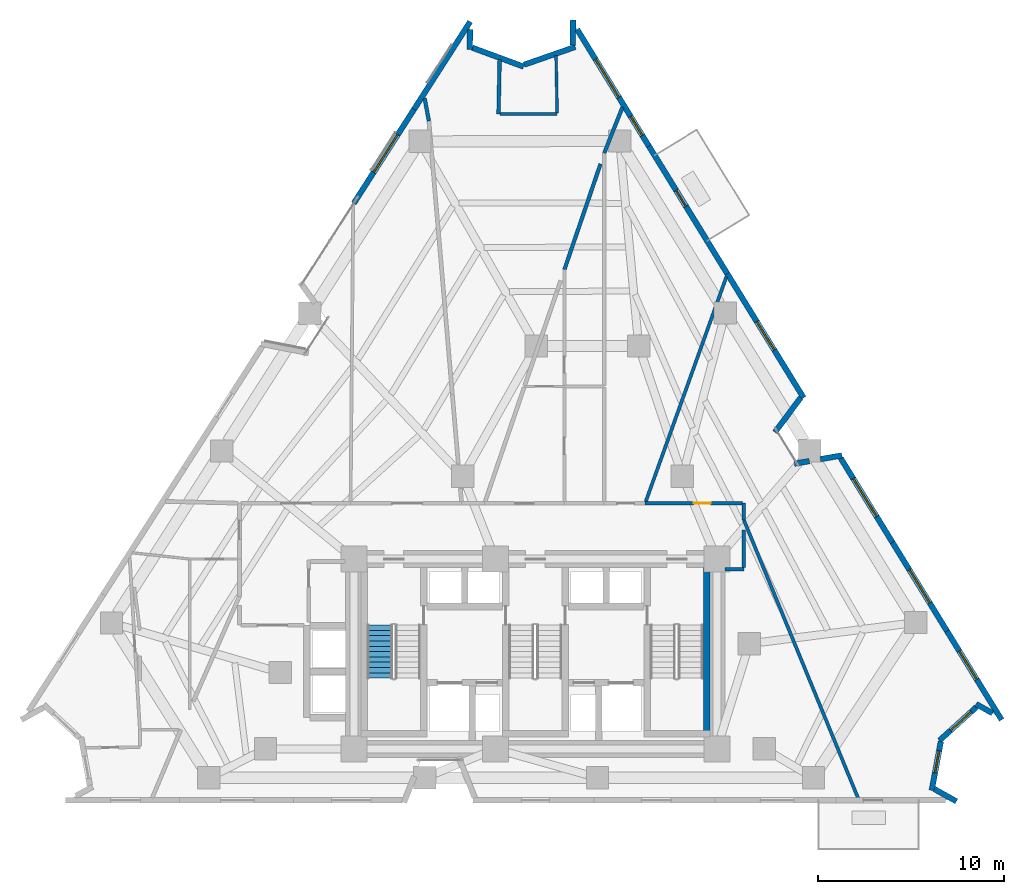
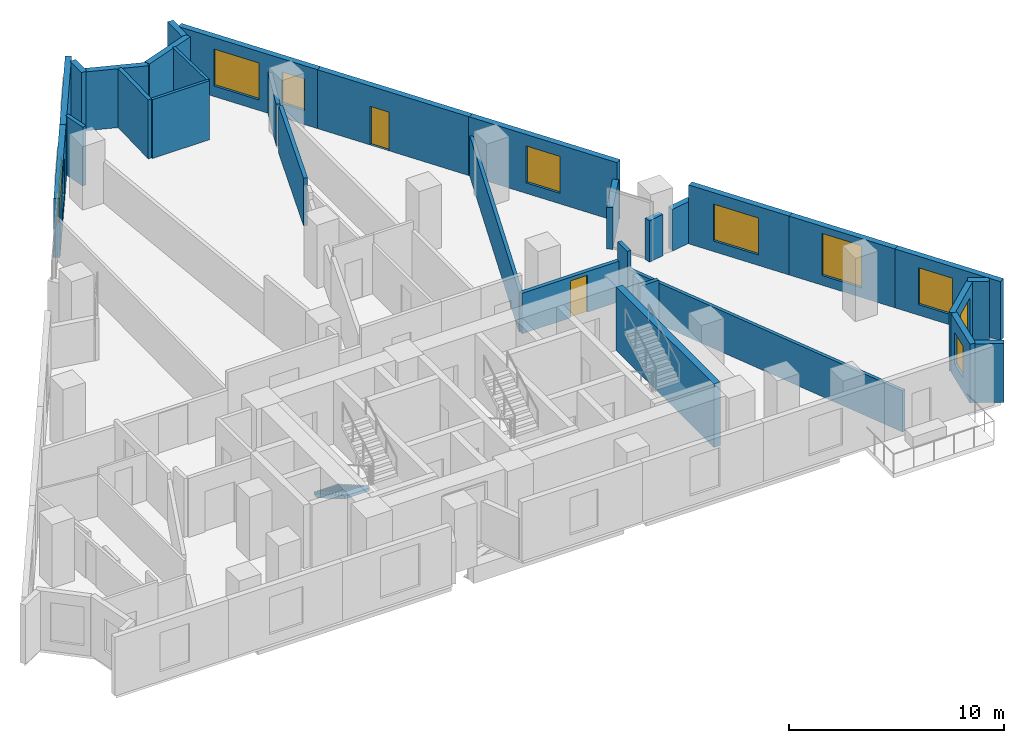
# One storey, part 9 of 13: 32 walls, 9 windows, 2 doors, 1 stair flight, 11 openings, 1 element without a shape of its own.
"""IFC4 building model written with IfcOpenShell, lengths in metres."""

from ifc_helpers import new_model, si_unit, direction, frame, frame_2d, origin, place, context, subcontext, project, spatial, polyline, rectangle, outline, extrude, material, layer, layer_set, type_object, element, fill, aggregate, save


model = new_model("IFC4")

# Units and contexts
model_context = context("Model", 3, precision=1e-05, world=origin(), true_north=direction((0.0, 1.0)))
body_context = subcontext(model_context, "Body", "Model", "MODEL_VIEW")
ifc_project = project(units=[si_unit("LENGTHUNIT", "METRE"), si_unit("AREAUNIT", "SQUARE_METRE"), si_unit("VOLUMEUNIT", "CUBIC_METRE"), si_unit("PLANEANGLEUNIT", "RADIAN"), si_unit("MASSUNIT", "GRAM", prefix="KILO")], contexts=[model_context])

# Site, building, storey
site_placement = place(None, origin())
site = spatial("IfcSite", under=ifc_project, at=site_placement, CompositionType="ELEMENT")
building_placement = place(site_placement, origin())
building = spatial("IfcBuilding", under=site, at=building_placement, Name="Almagre Mirador Tower", CompositionType="ELEMENT")
storey_placement = place(building_placement, frame((0.0, 0.0, 85.800048828125)))
storey = spatial("IfcBuildingStorey", under=building, at=storey_placement, Name="L21", CompositionType="ELEMENT", Elevation=85.800048828125)

# Wall, opening, window
ifc_material_1 = material(Name="Precast concrete C50/60", Category="concrete")
ifc_layer_1 = layer(ifc_material_1, 0.300048828125)
ifc_layer_set_1 = layer_set([ifc_layer_1], Name="Precast concrete C50/60")
wall_type_1 = type_object("IfcWallType", Name="WAL-EXT-300", PredefinedType="SOLIDWALL", material=ifc_layer_set_1)
wall_1_placement = place(storey_placement, frame((27.541015625, 33.860595703125, 0.0), z_axis=(0.0, 0.0, 1.0), x_axis=(0.53946350035, 0.842008985576, 0.0)))
wall_1 = element("IfcWall", 1, at=wall_1_placement, inside=storey, type_object=wall_type_1, Name="L21 expressed almagre precast frame wall 03", PredefinedType="SOLIDWALL", context=body_context, shape_type="SweptSolid", body=[
    extrude(rectangle(XDim=6.00048828125, YDim=0.300048828125, at=frame_2d((3.000244140625, 0.0))), origin(), (0.0, 0.0, 1.0), 3.349853515625),
])
opening_1_placement = place(wall_1_placement, frame((1.98291015625, 0.0, 0.60009765625)))
opening_1 = element("IfcOpeningElement", 2, at=opening_1_placement, cuts=wall_1, Name="Opening WN-02", PredefinedType="OPENING", context=body_context, shape_type="SweptSolid", body=[
    extrude(rectangle(XDim=2.39990234375, YDim=2.10009765625, at=frame_2d((1.199951171875, 1.050048828125))), frame((0.0, 0.159902, 0.0), z_axis=(0.0, -1.0, 0.0), x_axis=(1.0, 0.0, 0.0)), (0.0, 0.0, 1.0), 0.320049),
])
ifc_material_2 = material(Name="Dark solar-control laminated hurricane glass", Category="glass")
window_type_1 = type_object("IfcWindowType", Name="WIN-2400X2100", PartitioningType="TRIPLE_PANEL_VERTICAL", PredefinedType="WINDOW", material=ifc_material_2)
window_1_placement = place(opening_1_placement, origin())
window_1 = element("IfcWindow", 3, at=window_1_placement, inside=storey, type_object=window_type_1, Name="L21 recessed hurricane window L21-RST-F", OverallHeight=2.10009765625, OverallWidth=2.39990234375, PartitioningType="SINGLE_PANEL", PredefinedType="WINDOW", context=body_context, shape_type="SweptSolid", body=[
    extrude(rectangle(XDim=2.39990234375, YDim=2.10009765625, at=frame_2d((1.199951171875, 1.050048828125))), frame((0.0, 0.030029296875, 0.0), z_axis=(0.0, -1.0, 0.0), x_axis=(1.0, 0.0, 0.0)), (0.0, 0.0, 1.0), 0.06005859375),
])
fill(opening_1, window_1)

# Walls
wall_2_placement = place(storey_placement, frame((30.778076171875, 38.9130859375, 0.0), z_axis=(0.0, 0.0, 1.0), x_axis=(0.53944633572, 0.842019982469, 0.0)))
element("IfcWall", 4, at=wall_2_placement, inside=storey, type_object=wall_type_1, Name="L21 expressed almagre precast frame wall 04", PredefinedType="SOLIDWALL", context=body_context, shape_type="SweptSolid", body=[
    extrude(rectangle(XDim=5.592529296875, YDim=0.300048828125, at=frame_2d((2.79638671875, 0.0))), origin(), (0.0, 0.0, 1.0), 3.349853515625),
])
wall_3_placement = place(storey_placement, frame((33.791015625, 43.20703125, 0.0), z_axis=(0.0, 0.0, 1.0), x_axis=(-0.009538516763, -0.999954507314, 0.0)))
element("IfcWall", 5, at=wall_3_placement, inside=storey, type_object=wall_type_1, Name="L21 expressed almagre precast frame wall 05", PredefinedType="SOLIDWALL", context=body_context, shape_type="SweptSolid", body=[
    extrude(rectangle(XDim=1.074951171875, YDim=0.300048828125, at=frame_2d((0.53759765625, 0.0))), origin(), (0.0, 0.0, 1.0), 3.349853515625),
])
wall_4_placement = place(storey_placement, frame((33.90869140625, 42.225341796875, 0.0), z_axis=(0.0, 0.0, 1.0), x_axis=(0.938225446259, -0.346024582931, 0.0)))
element("IfcWall", 6, at=wall_4_placement, inside=storey, type_object=wall_type_1, Name="L21 expressed almagre precast frame wall 06", PredefinedType="SOLIDWALL", context=body_context, shape_type="SweptSolid", body=[
    extrude(rectangle(XDim=2.94140625, YDim=0.300048828125, at=frame_2d((1.470703125, 0.0))), origin(), (0.0, 0.0, 1.0), 3.349853515625),
])
wall_5_placement = place(storey_placement, frame((36.688232421875, 41.30859375, 0.0), z_axis=(0.0, 0.0, 1.0), x_axis=(0.944571305793, 0.328306332978, 0.0)))
element("IfcWall", 7, at=wall_5_placement, inside=storey, type_object=wall_type_1, Name="L21 expressed almagre precast frame wall 07", PredefinedType="SOLIDWALL", context=body_context, shape_type="SweptSolid", body=[
    extrude(rectangle(XDim=2.91650390625, YDim=0.300048828125, at=frame_2d((1.458251953125, 0.0))), origin(), (0.0, 0.0, 1.0), 3.349853515625),
])
wall_6_placement = place(storey_placement, frame((39.312255859375, 42.35498046875, 0.0), z_axis=(0.0, 0.0, 1.0), x_axis=(0.008828484753, 0.999961028169, 0.0)))
element("IfcWall", 8, at=wall_6_placement, inside=storey, type_object=wall_type_1, Name="L21 expressed almagre precast frame wall 08", PredefinedType="SOLIDWALL", context=body_context, shape_type="SweptSolid", body=[
    extrude(rectangle(XDim=1.35498046875, YDim=0.300048828125, at=frame_2d((0.677490234375, 0.0))), origin(), (0.0, 0.0, 1.0), 3.349853515625),
])

# Wall, openings, windows
wall_7_placement = place(storey_placement, frame((39.545654296875, 43.2080078125, 0.0), z_axis=(0.0, 0.0, 1.0), x_axis=(0.523664809677, -0.851924390487, 0.0)))
wall_7 = element("IfcWall", 9, at=wall_7_placement, inside=storey, type_object=wall_type_1, Name="L21 expressed almagre precast frame wall 09", PredefinedType="SOLIDWALL", context=body_context, shape_type="SweptSolid", body=[
    extrude(rectangle(XDim=7.368896484375, YDim=0.300048828125, at=frame_2d((3.6845703125, 0.0))), origin(), (0.0, 0.0, 1.0), 3.349853515625),
])
opening_2_placement = place(wall_7_placement, frame((5.485107421875, 0.0, 0.800048828125)))
opening_2 = element("IfcOpeningElement", 10, at=opening_2_placement, cuts=wall_7, Name="Opening WN-04", PredefinedType="OPENING", context=body_context, shape_type="SweptSolid", body=[
    extrude(rectangle(XDim=1.199951171875, YDim=1.800048828125, at=frame_2d((0.60009765625, 0.89990234375))), frame((0.0, 0.159902, 0.0), z_axis=(0.0, -1.0, 0.0), x_axis=(1.0, 0.0, 0.0)), (0.0, 0.0, 1.0), 0.320049),
])
opening_3_placement = place(wall_7_placement, frame((1.885009765625, 0.0, 0.60009765625)))
opening_3 = element("IfcOpeningElement", 11, at=opening_3_placement, cuts=wall_7, Name="Opening WN-02", PredefinedType="OPENING", context=body_context, shape_type="SweptSolid", body=[
    extrude(rectangle(XDim=2.39990234375, YDim=2.10009765625, at=frame_2d((1.199951171875, 1.050048828125))), frame((0.0, 0.159902, 0.0), z_axis=(0.0, -1.0, 0.0), x_axis=(1.0, 0.0, 0.0)), (0.0, 0.0, 1.0), 0.320049),
])
ifc_material_3 = material(Name="Dark solar-control laminated hurricane glass", Category="glass")
window_type_2 = type_object("IfcWindowType", Name="WIN-1200X1800", PartitioningType="SINGLE_PANEL", PredefinedType="WINDOW", material=ifc_material_3)
window_2_placement = place(opening_2_placement, origin())
window_2 = element("IfcWindow", 12, at=window_2_placement, inside=storey, type_object=window_type_2, Name="L21 recessed hurricane window L21-RST-J", OverallHeight=1.800048828125, OverallWidth=1.199951171875, PartitioningType="SINGLE_PANEL", PredefinedType="WINDOW", context=body_context, shape_type="SweptSolid", body=[
    extrude(rectangle(XDim=1.199951171875, YDim=1.800048828125, at=frame_2d((0.60009765625, 0.89990234375))), frame((0.0, 0.030029296875, 0.0), z_axis=(0.0, -1.0, 0.0), x_axis=(1.0, 0.0, 0.0)), (0.0, 0.0, 1.0), 0.06005859375),
])
fill(opening_2, window_2)
window_3_placement = place(opening_3_placement, origin())
window_3 = element("IfcWindow", 13, at=window_3_placement, inside=storey, type_object=window_type_1, Name="L21 recessed hurricane window L21-UK-KT", OverallHeight=2.10009765625, OverallWidth=2.39990234375, PartitioningType="SINGLE_PANEL", PredefinedType="WINDOW", context=body_context, shape_type="SweptSolid", body=[
    extrude(rectangle(XDim=2.39990234375, YDim=2.10009765625, at=frame_2d((1.199951171875, 1.050048828125))), frame((0.0, 0.030029296875, 0.0), z_axis=(0.0, -1.0, 0.0), x_axis=(1.0, 0.0, 0.0)), (0.0, 0.0, 1.0), 0.06005859375),
])
fill(opening_3, window_3)

# Wall, opening, door
wall_8_placement = place(storey_placement, frame((43.404541015625, 36.93017578125, 0.0), z_axis=(0.0, 0.0, 1.0), x_axis=(0.523667141988, -0.851922956847, 0.0)))
wall_8 = element("IfcWall", 14, at=wall_8_placement, inside=storey, type_object=wall_type_1, Name="L21 expressed almagre precast frame wall 10", PredefinedType="SOLIDWALL", context=body_context, shape_type="SweptSolid", body=[
    extrude(rectangle(XDim=8.042236328125, YDim=0.300048828125, at=frame_2d((4.02099609375, 0.0))), origin(), (0.0, 0.0, 1.0), 3.349853515625),
])
opening_4_placement = place(wall_8_placement, frame((2.787353515625, 0.0, 0.0)))
opening_4 = element("IfcOpeningElement", 15, at=opening_4_placement, cuts=wall_8, Name="Opening BD-01", PredefinedType="OPENING", context=body_context, shape_type="SweptSolid", body=[
    extrude(rectangle(XDim=1.0, YDim=2.199951171875, at=frame_2d((0.5, 1.10009765625))), frame((0.0, 0.159902, 0.0), z_axis=(0.0, -1.0, 0.0), x_axis=(1.0, 0.0, 0.0)), (0.0, 0.0, 1.0), 0.320049),
])
ifc_material_4 = material(Name="Black anodized aluminium and laminated glass", Category="aluminium")
door_type_1 = type_object("IfcDoorType", Name="DOR-BAL-1000X2200", OperationType="NOTDEFINED", PredefinedType="DOOR", material=ifc_material_4)
door_1_placement = place(opening_4_placement, origin())
door_1 = element("IfcDoor", 16, at=door_1_placement, inside=storey, type_object=door_type_1, Name="DR-0713 L21 east balcony glazed door 2", OperationType="SINGLE_SWING_RIGHT", OverallHeight=2.199951171875, OverallWidth=1.0, PredefinedType="DOOR", context=body_context, shape_type="SweptSolid", body=[
    extrude(rectangle(XDim=1.0, YDim=2.199951171875, at=frame_2d((0.5, 1.10009765625))), frame((0.0, 0.02490234375, 0.0), z_axis=(0.0, -1.0, 0.0), x_axis=(1.0, 0.0, 0.0)), (0.0, 0.0, 1.0), 0.050048828125),
])
fill(opening_4, door_1)

# Wall, opening, window
wall_9_placement = place(storey_placement, frame((47.588134765625, 30.1240234375, 0.0), z_axis=(0.0, 0.0, 1.0), x_axis=(0.523684181041, -0.851912482904, 0.0)))
wall_9 = element("IfcWall", 17, at=wall_9_placement, inside=storey, type_object=wall_type_1, Name="L21 expressed almagre precast frame wall 11", PredefinedType="SOLIDWALL", context=body_context, shape_type="SweptSolid", body=[
    extrude(rectangle(XDim=7.879150390625, YDim=0.300048828125, at=frame_2d((3.939453125, 0.0))), origin(), (0.0, 0.0, 1.0), 3.349853515625),
])
opening_5_placement = place(wall_9_placement, frame((3.070068359375, 0.0, 0.60009765625)))
opening_5 = element("IfcOpeningElement", 18, at=opening_5_placement, cuts=wall_9, Name="Opening WN-01", PredefinedType="OPENING", context=body_context, shape_type="SweptSolid", body=[
    extrude(rectangle(XDim=1.800048828125, YDim=2.10009765625, at=frame_2d((0.89990234375, 1.050048828125))), frame((0.0, 0.159902, 0.0), z_axis=(0.0, -1.0, 0.0), x_axis=(1.0, 0.0, 0.0)), (0.0, 0.0, 1.0), 0.320049),
])
ifc_material_5 = material(Name="Dark solar-control laminated hurricane glass", Category="glass")
window_type_3 = type_object("IfcWindowType", Name="WIN-1800X2100", PartitioningType="DOUBLE_PANEL_VERTICAL", PredefinedType="WINDOW", material=ifc_material_5)
window_4_placement = place(opening_5_placement, origin())
window_4 = element("IfcWindow", 19, at=window_4_placement, inside=storey, type_object=window_type_3, Name="L21 recessed hurricane window L21-RST-D", OverallHeight=2.10009765625, OverallWidth=1.800048828125, PartitioningType="SINGLE_PANEL", PredefinedType="WINDOW", context=body_context, shape_type="SweptSolid", body=[
    extrude(rectangle(XDim=1.800048828125, YDim=2.10009765625, at=frame_2d((0.89990234375, 1.050048828125))), frame((0.0, 0.030029296875, 0.0), z_axis=(0.0, -1.0, 0.0), x_axis=(1.0, 0.0, 0.0)), (0.0, 0.0, 1.0), 0.06005859375),
])
fill(opening_5, window_4)

# Walls
wall_10_placement = place(storey_placement, frame((51.560302734375, 23.4228515625, 0.0), z_axis=(0.0, 0.0, 1.0), x_axis=(-0.598162132196, -0.801375107928, 0.0)))
element("IfcWall", 20, at=wall_10_placement, inside=storey, type_object=wall_type_1, Name="L21 expressed almagre precast frame wall 12", PredefinedType="SOLIDWALL", context=body_context, shape_type="SweptSolid", body=[
    extrude(rectangle(XDim=2.318603515625, YDim=0.300048828125, at=frame_2d((1.1591796875, 0.0))), origin(), (0.0, 0.0, 1.0), 2.375),
])
wall_11_placement = place(storey_placement, frame((51.214111328125, 19.873046875, 0.0), z_axis=(0.0, 0.0, 1.0), x_axis=(0.985196486857, 0.171428942375, 0.0)))
element("IfcWall", 21, at=wall_11_placement, inside=storey, type_object=wall_type_1, Name="L21 expressed almagre precast frame wall 13", PredefinedType="SOLIDWALL", context=body_context, shape_type="SweptSolid", body=[
    extrude(rectangle(XDim=0.82177734375, YDim=0.300048828125, at=frame_2d((0.410888671875, 0.0))), origin(), (0.0, 0.0, 1.0), 2.349853515625),
])
wall_12_placement = place(storey_placement, frame((52.612060546875, 20.116455078125, 0.0), z_axis=(0.0, 0.0, 1.0), x_axis=(0.985141474114, 0.171744798991, 0.0)))
element("IfcWall", 22, at=wall_12_placement, inside=storey, type_object=wall_type_1, Name="L21 expressed almagre precast frame wall 14", PredefinedType="SOLIDWALL", context=body_context, shape_type="SweptSolid", body=[
    extrude(rectangle(XDim=1.174072265625, YDim=0.300048828125, at=frame_2d((0.5869140625, 0.0))), origin(), (0.0, 0.0, 1.0), 2.375),
])

# Wall, opening, window
wall_13_placement = place(storey_placement, frame((53.70166015625, 20.178955078125, 0.0), z_axis=(0.0, 0.0, 1.0), x_axis=(0.523715961772, -0.851892945965, 0.0)))
wall_13 = element("IfcWall", 23, at=wall_13_placement, inside=storey, type_object=wall_type_1, Name="L21 expressed almagre precast frame wall 15", PredefinedType="SOLIDWALL", context=body_context, shape_type="SweptSolid", body=[
    extrude(rectangle(XDim=5.3212890625, YDim=0.300048828125, at=frame_2d((2.66064453125, 0.0))), origin(), (0.0, 0.0, 1.0), 3.349853515625),
])
opening_6_placement = place(wall_13_placement, frame((1.300048828125, 0.0, 0.60009765625)))
opening_6 = element("IfcOpeningElement", 24, at=opening_6_placement, cuts=wall_13, Name="Opening WN-02", PredefinedType="OPENING", context=body_context, shape_type="SweptSolid", body=[
    extrude(rectangle(XDim=2.39990234375, YDim=2.10009765625, at=frame_2d((1.199951171875, 1.050048828125))), frame((0.0, 0.159902, 0.0), z_axis=(0.0, -1.0, 0.0), x_axis=(1.0, 0.0, 0.0)), (0.0, 0.0, 1.0), 0.320049),
])
window_5_placement = place(opening_6_placement, origin())
window_5 = element("IfcWindow", 25, at=window_5_placement, inside=storey, type_object=window_type_1, Name="L21 recessed hurricane window L21-RST-D", OverallHeight=2.10009765625, OverallWidth=2.39990234375, PartitioningType="SINGLE_PANEL", PredefinedType="WINDOW", context=body_context, shape_type="SweptSolid", body=[
    extrude(rectangle(XDim=2.39990234375, YDim=2.10009765625, at=frame_2d((1.199951171875, 1.050048828125))), frame((0.0, 0.030029296875, 0.0), z_axis=(0.0, -1.0, 0.0), x_axis=(1.0, 0.0, 0.0)), (0.0, 0.0, 1.0), 0.06005859375),
])
fill(opening_6, window_5)

wall_14_placement = place(storey_placement, frame((56.488525390625, 15.645751953125, 0.0), z_axis=(0.0, 0.0, 1.0), x_axis=(0.523710369238, -0.851896384047, 0.0)))
wall_14 = element("IfcWall", 26, at=wall_14_placement, inside=storey, type_object=wall_type_1, Name="L21 expressed almagre precast frame wall 16", PredefinedType="SOLIDWALL", context=body_context, shape_type="SweptSolid", body=[
    extrude(rectangle(XDim=5.596435546875, YDim=0.300048828125, at=frame_2d((2.79833984375, 0.0))), origin(), (0.0, 0.0, 1.0), 3.349853515625),
])
opening_7_placement = place(wall_14_placement, frame((1.72509765625, 0.0, 0.550048828125)))
opening_7 = element("IfcOpeningElement", 27, at=opening_7_placement, cuts=wall_14, Name="Opening WN-05", PredefinedType="OPENING", context=body_context, shape_type="SweptSolid", body=[
    extrude(rectangle(XDim=2.10009765625, YDim=2.39990234375, at=frame_2d((1.050048828125, 1.199951171875))), frame((0.0, 0.159902, 0.0), z_axis=(0.0, -1.0, 0.0), x_axis=(1.0, 0.0, 0.0)), (0.0, 0.0, 1.0), 0.320049),
])
ifc_material_6 = material(Name="Dark solar-control laminated hurricane glass", Category="glass")
window_type_4 = type_object("IfcWindowType", Name="WIN-2100X2400", PartitioningType="DOUBLE_PANEL_VERTICAL", PredefinedType="WINDOW", material=ifc_material_6)
window_6_placement = place(opening_7_placement, origin())
window_6 = element("IfcWindow", 28, at=window_6_placement, inside=storey, type_object=window_type_4, Name="L21 recessed hurricane window L21-RST-D", OverallHeight=2.39990234375, OverallWidth=2.10009765625, PartitioningType="SINGLE_PANEL", PredefinedType="WINDOW", context=body_context, shape_type="SweptSolid", body=[
    extrude(rectangle(XDim=2.10009765625, YDim=2.39990234375, at=frame_2d((1.050048828125, 1.199951171875))), frame((0.0, 0.030029296875, 0.0), z_axis=(0.0, -1.0, 0.0), x_axis=(1.0, 0.0, 0.0)), (0.0, 0.0, 1.0), 0.06005859375),
])
fill(opening_7, window_6)

wall_15_placement = place(storey_placement, frame((59.41943359375, 10.878173828125, 0.0), z_axis=(0.0, 0.0, 1.0), x_axis=(0.523710369238, -0.851896384047, 0.0)))
wall_15 = element("IfcWall", 29, at=wall_15_placement, inside=storey, type_object=wall_type_1, Name="L21 expressed almagre precast frame wall 17", PredefinedType="SOLIDWALL", context=body_context, shape_type="SweptSolid", body=[
    extrude(rectangle(XDim=5.596435546875, YDim=0.300048828125, at=frame_2d((2.79833984375, 0.0))), origin(), (0.0, 0.0, 1.0), 3.349853515625),
])
opening_8_placement = place(wall_15_placement, frame((1.25, 0.0, 0.60009765625)))
opening_8 = element("IfcOpeningElement", 30, at=opening_8_placement, cuts=wall_15, Name="Opening WN-01", PredefinedType="OPENING", context=body_context, shape_type="SweptSolid", body=[
    extrude(rectangle(XDim=1.800048828125, YDim=2.10009765625, at=frame_2d((0.89990234375, 1.050048828125))), frame((0.0, 0.159902, 0.0), z_axis=(0.0, -1.0, 0.0), x_axis=(1.0, 0.0, 0.0)), (0.0, 0.0, 1.0), 0.320049),
])
window_7_placement = place(opening_8_placement, origin())
window_7 = element("IfcWindow", 31, at=window_7_placement, inside=storey, type_object=window_type_3, Name="L21 recessed hurricane window L21-RST-D", OverallHeight=2.10009765625, OverallWidth=1.800048828125, PartitioningType="SINGLE_PANEL", PredefinedType="WINDOW", context=body_context, shape_type="SweptSolid", body=[
    extrude(rectangle(XDim=1.800048828125, YDim=2.10009765625, at=frame_2d((0.89990234375, 1.050048828125))), frame((0.0, 0.030029296875, 0.0), z_axis=(0.0, -1.0, 0.0), x_axis=(1.0, 0.0, 0.0)), (0.0, 0.0, 1.0), 0.06005859375),
])
fill(opening_8, window_7)

# Wall
wall_16_placement = place(storey_placement, frame((61.862548828125, 6.4619140625, 0.0), z_axis=(0.0, 0.0, 1.0), x_axis=(-0.872678236231, 0.488295705499, 0.0)))
element("IfcWall", 32, at=wall_16_placement, inside=storey, type_object=wall_type_1, Name="L21 expressed almagre precast frame wall 18", PredefinedType="SOLIDWALL", context=body_context, shape_type="SweptSolid", body=[
    extrude(rectangle(XDim=1.014892578125, YDim=0.300048828125, at=frame_2d((0.50732421875, 0.0))), origin(), (0.0, 0.0, 1.0), 3.349853515625),
])

# Wall, opening, window
wall_17_placement = place(storey_placement, frame((61.002685546875, 6.8017578125, 0.0), z_axis=(0.0, 0.0, 1.0), x_axis=(-0.741163448221, -0.671324618215, 0.0)))
wall_17 = element("IfcWall", 33, at=wall_17_placement, inside=storey, type_object=wall_type_1, Name="L21 expressed almagre precast frame wall 19", PredefinedType="SOLIDWALL", context=body_context, shape_type="SweptSolid", body=[
    extrude(rectangle(XDim=2.688232421875, YDim=0.300048828125, at=frame_2d((1.34423828125, 0.0))), origin(), (0.0, 0.0, 1.0), 3.349853515625),
])
opening_9_placement = place(wall_17_placement, frame((0.3798828125, 0.0, 0.60009765625)))
opening_9 = element("IfcOpeningElement", 34, at=opening_9_placement, cuts=wall_17, Name="Opening WN-03", PredefinedType="OPENING", context=body_context, shape_type="SweptSolid", body=[
    extrude(rectangle(XDim=1.5, YDim=2.10009765625, at=frame_2d((0.75, 1.050048828125))), frame((0.0, 0.159902, 0.0), z_axis=(0.0, -1.0, 0.0), x_axis=(1.0, 0.0, 0.0)), (0.0, 0.0, 1.0), 0.320049),
])
ifc_material_7 = material(Name="Dark solar-control laminated hurricane glass", Category="glass")
window_type_5 = type_object("IfcWindowType", Name="WIN-1500X2100", PartitioningType="DOUBLE_PANEL_VERTICAL", PredefinedType="WINDOW", material=ifc_material_7)
window_8_placement = place(opening_9_placement, origin())
window_8 = element("IfcWindow", 35, at=window_8_placement, inside=storey, type_object=window_type_5, Name="L21 recessed hurricane window L21-RST-D", OverallHeight=2.10009765625, OverallWidth=1.5, PartitioningType="SINGLE_PANEL", PredefinedType="WINDOW", context=body_context, shape_type="SweptSolid", body=[
    extrude(rectangle(XDim=1.5, YDim=2.10009765625, at=frame_2d((0.75, 1.050048828125))), frame((0.0, 0.030029296875, 0.0), z_axis=(0.0, -1.0, 0.0), x_axis=(1.0, 0.0, 0.0)), (0.0, 0.0, 1.0), 0.06005859375),
])
fill(opening_9, window_8)

wall_18_placement = place(storey_placement, frame((59.08740234375, 4.948486328125, 0.0), z_axis=(0.0, 0.0, 1.0), x_axis=(-0.183786629236, -0.982966161632, 0.0)))
wall_18 = element("IfcWall", 36, at=wall_18_placement, inside=storey, type_object=wall_type_1, Name="L21 expressed almagre precast frame wall 20", PredefinedType="SOLIDWALL", context=body_context, shape_type="SweptSolid", body=[
    extrude(rectangle(XDim=2.672607421875, YDim=0.300048828125, at=frame_2d((1.33642578125, 0.0))), origin(), (0.0, 0.0, 1.0), 3.349853515625),
])
opening_10_placement = place(wall_18_placement, frame((0.514892578125, 0.0, 0.800048828125)))
opening_10 = element("IfcOpeningElement", 37, at=opening_10_placement, cuts=wall_18, Name="Opening WN-04", PredefinedType="OPENING", context=body_context, shape_type="SweptSolid", body=[
    extrude(rectangle(XDim=1.199951171875, YDim=1.800048828125, at=frame_2d((0.60009765625, 0.89990234375))), frame((0.0, 0.159902, 0.0), z_axis=(0.0, -1.0, 0.0), x_axis=(1.0, 0.0, 0.0)), (0.0, 0.0, 1.0), 0.320049),
])
window_9_placement = place(opening_10_placement, origin())
window_9 = element("IfcWindow", 38, at=window_9_placement, inside=storey, type_object=window_type_2, Name="L21 recessed hurricane window L21-RST-D", OverallHeight=1.800048828125, OverallWidth=1.199951171875, PartitioningType="SINGLE_PANEL", PredefinedType="WINDOW", context=body_context, shape_type="SweptSolid", body=[
    extrude(rectangle(XDim=1.199951171875, YDim=1.800048828125, at=frame_2d((0.60009765625, 0.89990234375))), frame((0.0, 0.030029296875, 0.0), z_axis=(0.0, -1.0, 0.0), x_axis=(1.0, 0.0, 0.0)), (0.0, 0.0, 1.0), 0.06005859375),
])
fill(opening_10, window_9)

# Walls
wall_19_placement = place(storey_placement, frame((58.7353515625, 2.3955078125, 0.0), z_axis=(0.0, 0.0, 1.0), x_axis=(0.872747775204, -0.488171405221, 0.0)))
element("IfcWall", 39, at=wall_19_placement, inside=storey, type_object=wall_type_1, Name="L21 expressed almagre precast frame wall 21", PredefinedType="SOLIDWALL", context=body_context, shape_type="SweptSolid", body=[
    extrude(rectangle(XDim=1.35986328125, YDim=0.300048828125, at=frame_2d((0.679931640625, 0.0))), origin(), (0.0, 0.0, 1.0), 3.349853515625),
])
ifc_material_8 = material(Name="Gypsum acoustic stud partition", Category="other")
ifc_layer_2 = layer(ifc_material_8, 0.14990234375)
ifc_layer_set_2 = layer_set([ifc_layer_2], Name="Gypsum acoustic stud partition")
wall_type_2 = type_object("IfcWallType", Name="WAL-PRT-150-STD", PredefinedType="PARTITIONING", material=ifc_layer_set_2)
wall_20_placement = place(storey_placement, frame((38.469970703125, 38.659912109375, 0.0), z_axis=(0.0, 0.0, 1.0), x_axis=(-1.0, 0.0, 0.0)))
element("IfcWall", 40, at=wall_20_placement, inside=storey, type_object=wall_type_2, Name="L21 interior partition 058", PredefinedType="PARTITIONING", context=body_context, shape_type="SweptSolid", body=[
    extrude(rectangle(XDim=3.06494140625, YDim=0.14990234375, at=frame_2d((1.532470703125, 0.0))), origin(), (0.0, 0.0, 1.0), 3.349853515625),
])
wall_21_placement = place(storey_placement, frame((38.410888671875, 41.80908203125, 0.0), z_axis=(0.0, 0.0, 1.0), x_axis=(0.0188064418, -0.999823143234, 0.0)))
element("IfcWall", 41, at=wall_21_placement, inside=storey, type_object=wall_type_2, Name="L21 interior partition 059", PredefinedType="PARTITIONING", context=body_context, shape_type="SweptSolid", body=[
    extrude(rectangle(XDim=3.089599609375, YDim=0.14990234375, at=frame_2d((1.544921875, 0.0))), origin(), (0.0, 0.0, 1.0), 3.349853515625),
])
ifc_material_9 = material(Name="Gypsum acoustic stud partition", Category="other")
ifc_layer_3 = layer(ifc_material_9, 0.175048828125)
ifc_layer_set_3 = layer_set([ifc_layer_3], Name="Gypsum acoustic stud partition")
wall_type_3 = type_object("IfcWallType", Name="WAL-PRT-175-AC", PredefinedType="PARTITIONING", material=ifc_layer_set_3)
wall_22_placement = place(storey_placement, frame((54.638916015625, 1.905029296875, 0.0), z_axis=(0.0, 0.0, 1.0), x_axis=(-0.379959258836, 0.925003222494, 0.0)))
element("IfcWall", 42, at=wall_22_placement, inside=storey, type_object=wall_type_3, Name="L21 interior partition 018", PredefinedType="PARTITIONING", context=body_context, shape_type="SweptSolid", body=[
    extrude(rectangle(XDim=16.15673828125, YDim=0.175048828125, at=frame_2d((8.078369140625, 0.0))), origin(), (0.0, 0.0, 1.0), 2.344970703125),
])
wall_23_placement = place(storey_placement, frame((47.56298828125, 29.9130859375, 0.0), z_axis=(0.0, 0.0, 1.0), x_axis=(-0.337656526374, -0.941269392999, 0.0)))
element("IfcWall", 43, at=wall_23_placement, inside=storey, type_object=wall_type_3, Name="L21 interior partition 027", PredefinedType="PARTITIONING", context=body_context, shape_type="SweptSolid", body=[
    extrude(rectangle(XDim=12.8369140625, YDim=0.175048828125, at=frame_2d((6.41845703125, 0.0))), origin(), (0.0, 0.0, 1.0), 2.308837890625),
])
ifc_material_10 = material(Name="Gypsum acoustic stud partition", Category="other")
ifc_layer_4 = layer(ifc_material_10, 0.199951171875)
ifc_layer_set_4 = layer_set([ifc_layer_4], Name="Gypsum acoustic stud partition")
wall_type_4 = type_object("IfcWallType", Name="WAL-PRT-200-EI60", PredefinedType="PARTITIONING", material=ifc_layer_set_4)
wall_24_placement = place(storey_placement, frame((47.5, 14.199951171875, 0.0), z_axis=(0.0, 0.0, 1.0), x_axis=(1.0, 0.0, 0.0)))
element("IfcWall", 44, at=wall_24_placement, inside=storey, type_object=wall_type_4, Name="L21 interior partition 003", PredefinedType="PARTITIONING", context=body_context, shape_type="SweptSolid", body=[
    extrude(rectangle(XDim=1.0, YDim=0.199951171875, at=frame_2d((0.5, 0.0))), origin(), (0.0, 0.0, 1.0), 3.349853515625),
])
wall_25_placement = place(storey_placement, frame((48.5, 14.284912109375, 0.0), z_axis=(0.0, 0.0, 1.0), x_axis=(0.0, 1.0, 0.0)))
element("IfcWall", 45, at=wall_25_placement, inside=storey, type_object=wall_type_4, Name="L21 interior partition 004", PredefinedType="PARTITIONING", context=body_context, shape_type="SweptSolid", body=[
    extrude(rectangle(XDim=2.03857421875, YDim=0.199951171875, at=frame_2d((1.019287109375, 0.0))), origin(), (0.0, 0.0, 1.0), 2.344970703125),
])
wall_26_placement = place(storey_placement, frame((48.5, 16.85009765625, 0.0), z_axis=(0.0, 0.0, 1.0), x_axis=(0.0, 1.0, 0.0)))
element("IfcWall", 46, at=wall_26_placement, inside=storey, type_object=wall_type_4, Name="L21 interior partition 007", PredefinedType="PARTITIONING", context=body_context, shape_type="SweptSolid", body=[
    extrude(rectangle(XDim=0.89990234375, YDim=0.199951171875, at=frame_2d((0.449951171875, 0.0))), origin(), (0.0, 0.0, 1.0), 3.349853515625),
])

# Wall, opening, door
wall_27_placement = place(storey_placement, frame((48.4150390625, 17.75, 0.0), z_axis=(0.0, 0.0, 1.0), x_axis=(-1.0, 0.0, 0.0)))
wall_27 = element("IfcWall", 47, at=wall_27_placement, inside=storey, type_object=wall_type_4, Name="L21 interior partition 008", PredefinedType="PARTITIONING", context=body_context, shape_type="SweptSolid", body=[
    extrude(rectangle(XDim=5.215087890625, YDim=0.199951171875, at=frame_2d((2.607421875, 0.0))), origin(), (0.0, 0.0, 1.0), 2.308837890625),
])
opening_11_placement = place(wall_27_placement, frame((1.702880859375, 0.0, 0.0)))
opening_11 = element("IfcOpeningElement", 48, at=opening_11_placement, cuts=wall_27, Name="Opening ID-03", PredefinedType="OPENING", context=body_context, shape_type="SweptSolid", body=[
    extrude(rectangle(XDim=0.89990234375, YDim=2.10009765625, at=frame_2d((0.449951171875, 1.050048828125))), frame((0.0, 0.110098, 0.0), z_axis=(0.0, -1.0, 0.0), x_axis=(1.0, 0.0, 0.0)), (0.0, 0.0, 1.0), 0.219951),
])
ifc_material_11 = material(Name="Fire-rated hollow steel", Category="steel")
door_type_2 = type_object("IfcDoorType", Name="DOR-FD60-900X2100", OperationType="NOTDEFINED", PredefinedType="DOOR", material=ifc_material_11)
door_2_placement = place(opening_11_placement, origin())
door_2 = element("IfcDoor", 49, at=door_2_placement, inside=storey, type_object=door_type_2, Name="DR-0720 L21 interior door L21-RCOR to L21-RST-D", OperationType="SINGLE_SWING_LEFT", OverallHeight=2.10009765625, OverallWidth=0.89990234375, PredefinedType="DOOR", context=body_context, shape_type="SweptSolid", body=[
    extrude(rectangle(XDim=0.89990234375, YDim=2.10009765625, at=frame_2d((0.449951171875, 1.050048828125))), frame((0.0, 0.02490234375, 0.0), z_axis=(0.0, -1.0, 0.0), x_axis=(1.0, 0.0, 0.0)), (0.0, 0.0, 1.0), 0.050048828125),
])
fill(opening_11, door_2)

# Walls
wall_28_placement = place(storey_placement, frame((31.580078125, 38.280029296875, 0.0), z_axis=(0.0, 0.0, 1.0), x_axis=(-0.185063937558, 0.982726482301, 0.0)))
element("IfcWall", 50, at=wall_28_placement, inside=storey, type_object=wall_type_4, Name="L21 interior partition 032", PredefinedType="PARTITIONING", context=body_context, shape_type="SweptSolid", body=[
    extrude(rectangle(XDim=1.254638671875, YDim=0.199951171875, at=frame_2d((0.62744140625, 0.0))), origin(), (0.0, 0.0, 1.0), 3.349853515625),
])
wall_29_placement = place(storey_placement, frame((40.800048828125, 35.97509765625, 0.0), z_axis=(0.0, 0.0, 1.0), x_axis=(-0.32346038507, -0.946241712931, 0.0)))
element("IfcWall", 51, at=wall_29_placement, inside=storey, type_object=wall_type_4, Name="L21 interior partition 040", PredefinedType="PARTITIONING", context=body_context, shape_type="SweptSolid", body=[
    extrude(rectangle(XDim=5.99755859375, YDim=0.199951171875, at=frame_2d((2.998779296875, 0.0))), origin(), (0.0, 0.0, 1.0), 2.7119140625),
])
wall_30_placement = place(storey_placement, frame((35.320068359375, 38.659912109375, 0.0), z_axis=(0.0, 0.0, 1.0), x_axis=(0.020451595294, 0.999790844252, 0.0)))
element("IfcWall", 52, at=wall_30_placement, inside=storey, type_object=wall_type_4, Name="L21 interior partition 055", PredefinedType="PARTITIONING", context=body_context, shape_type="SweptSolid", body=[
    extrude(rectangle(XDim=2.9248046875, YDim=0.199951171875, at=frame_2d((1.46240234375, 0.0))), origin(), (0.0, 0.0, 1.0), 3.349853515625),
])
wall_31_placement = place(storey_placement, frame((41.97900390625, 39.02294921875, 0.0), z_axis=(0.0, 0.0, 1.0), x_axis=(-0.369388654108, -0.929274998166, 0.0)))
element("IfcWall", 53, at=wall_31_placement, inside=storey, type_object=wall_type_4, Name="L21 interior partition 056", PredefinedType="PARTITIONING", context=body_context, shape_type="SweptSolid", body=[
    extrude(rectangle(XDim=2.650390625, YDim=0.199951171875, at=frame_2d((1.3251953125, 0.0))), origin(), (0.0, 0.0, 1.0), 2.369873046875),
])
ifc_material_12 = material(Name="Concrete C60/75", Category="concrete")
ifc_layer_5 = layer(ifc_material_12, 0.35009765625)
ifc_layer_set_5 = layer_set([ifc_layer_5], Name="Concrete C60/75")
wall_type_5 = type_object("IfcWallType", Name="WAL-SHF-350", PredefinedType="SOLIDWALL", material=ifc_layer_set_5)
wall_32_placement = place(storey_placement, frame((46.5, 5.199951171875, 0.0), z_axis=(0.0, 0.0, 1.0), x_axis=(0.0, 1.0, 0.0)))
element("IfcWall", 54, at=wall_32_placement, inside=storey, type_object=wall_type_5, Name="L21 shaft wall ST3-E", PredefinedType="SOLIDWALL", context=body_context, shape_type="SweptSolid", body=[
    extrude(rectangle(XDim=9.10009765625, YDim=0.35009765625, at=frame_2d((4.550048828125, 0.0))), origin(), (0.0, 0.0, 1.0), 3.599853515625),
])

# Stair, stair flight
ifc_material_13 = material(Name="Concrete C45/55", Category="concrete")
stair_type = type_object("IfcStairType", Name="STR-DL-3600", PredefinedType="HALF_TURN_STAIR", material=ifc_material_13)
stair_placement = place(storey_placement, origin())
stair = element("IfcStair", 55, at=stair_placement, inside=storey, type_object=stair_type, Name="L21 Protected exit stair ST-1", PredefinedType="HALF_TURN_STAIR")
ifc_material_14 = material(Name="Concrete C45/55", Category="concrete")
stair_flight_type = type_object("IfcStairFlightType", Name="FLT-DL-3600", PredefinedType="STRAIGHT", material=ifc_material_14)
stair_flight_placement = place(storey_placement, frame((28.949951171875, 11.199951171875, 0.0), z_axis=(0.0, 0.0, 1.0), x_axis=(0.0, -1.0, 0.0)))
stair_flight = element("IfcStairFlight", 56, at=stair_flight_placement, type_object=stair_flight_type, Name="ST-1 flight 1", NumberOfRisers=11, NumberOfTreads=10, PredefinedType="STRAIGHT", RiserHeight=0.163636364, TreadLength=0.285, context=body_context, shape_type="SweptSolid", body=[
    extrude(outline(polyline([(0.0, 0.0), (0.0, 0.16357421875), (0.284912109375, 0.16357421875), (0.284912109375, 0.327392578125), (0.570068359375, 0.327392578125), (0.570068359375, 0.490966796875), (0.85498046875, 0.490966796875), (0.85498046875, 0.654541015625), (1.139892578125, 0.654541015625), (1.139892578125, 0.818115234375), (1.425048828125, 0.818115234375), (1.425048828125, 0.98193359375), (1.7099609375, 0.98193359375), (1.7099609375, 1.1455078125), (1.9951171875, 1.1455078125), (1.9951171875, 1.30908203125), (2.280029296875, 1.30908203125), (2.280029296875, 1.47265625), (2.56494140625, 1.47265625), (2.56494140625, 1.636474609375), (2.85009765625, 1.636474609375), (2.85009765625, 1.800048828125), (2.85009765625, 1.463623046875), (0.301025390625, 0.0), (0.0, 0.0)])), frame((0.0, 0.675048828125, 0.0), z_axis=(0.0, -1.0, 0.0), x_axis=(1.0, 0.0, 0.0)), (0.0, 0.0, 1.0), 1.35009765625),
])
aggregate(stair, [stair_flight])

save(model, "model.ifc")
